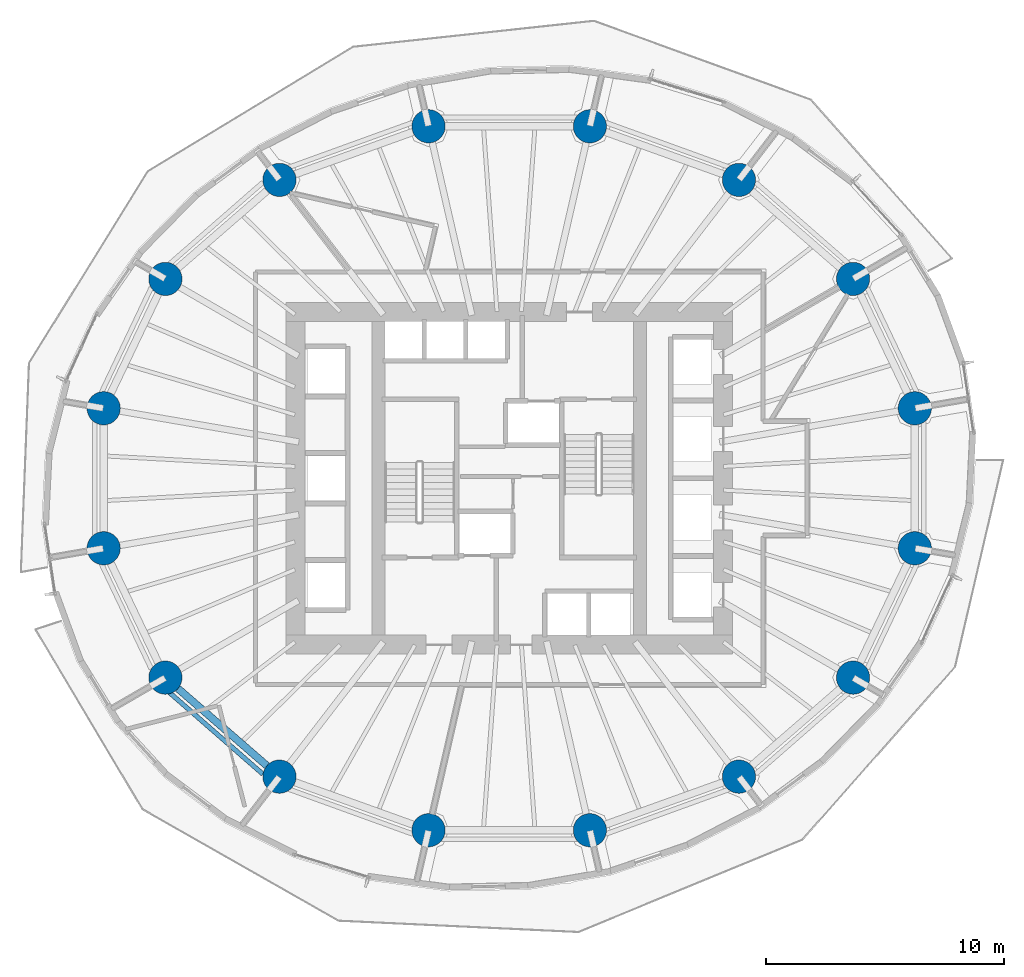
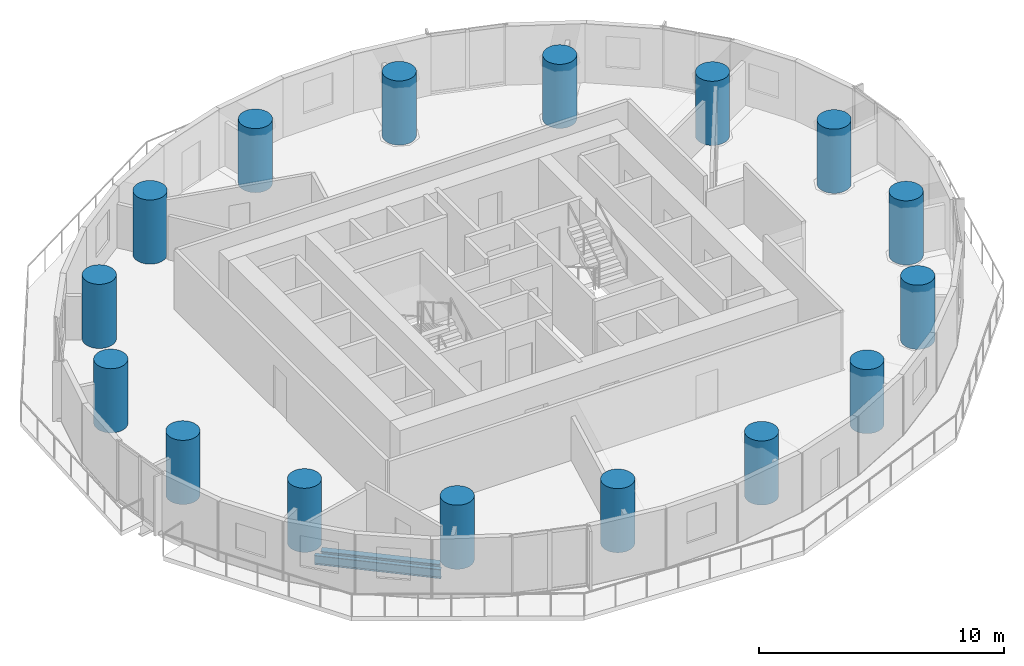
# One storey, part 1 of 13: 16 columns, 2 beams.
"""IFC4 building model written with IfcOpenShell, lengths in metres."""

from ifc_helpers import new_model, si_unit, direction, frame, origin, origin_2d, place, context, subcontext, project, spatial, circle, i_section, extrude, material, material_profile, profile_set, type_object, element, save


model = new_model("IFC4")

# Units and contexts
model_context = context("Model", 3, precision=1e-05, world=origin(), true_north=direction((0.0, 1.0)))
body_context = subcontext(model_context, "Body", "Model", "MODEL_VIEW")
ifc_project = project(units=[si_unit("LENGTHUNIT", "METRE"), si_unit("AREAUNIT", "SQUARE_METRE"), si_unit("VOLUMEUNIT", "CUBIC_METRE"), si_unit("PLANEANGLEUNIT", "RADIAN"), si_unit("MASSUNIT", "GRAM", prefix="KILO")], contexts=[model_context])

# Site, building, storey
site_placement = place(None, origin())
site = spatial("IfcSite", under=ifc_project, at=site_placement, CompositionType="ELEMENT")
building_placement = place(site_placement, origin())
building = spatial("IfcBuilding", under=site, at=building_placement, Name="Veldorim Arch Residences", CompositionType="ELEMENT")
storey_placement = place(building_placement, frame((0.0, 0.0, 60.0)))
storey = spatial("IfcBuildingStorey", under=building, at=storey_placement, Name="L17", CompositionType="ELEMENT", Elevation=60.0)

# Columns
ifc_material_1 = material(Name="Concrete C60/75", Category="concrete")
ifc_material_profile_1 = material_profile(ifc_material_1, circle(Radius=0.699951171875, at=origin_2d()), Name="RC_CIRC_1400")
ifc_profile_set_1 = profile_set([ifc_material_profile_1], Name="Concrete C60/75")
column_type = type_object("IfcColumnType", Name="Structural Column RC_CIRC_1400", PredefinedType="COLUMN", material=ifc_profile_set_1)
for number, where, z_axis, x_axis, name in (
    (1, (49.065673828125, 26.94580078125, 0.0), (0.0, 0.0, 1.0), (1.0, 0.0, 0.0), "L17 TC-Z1-01 perimeter column"),
    (2, (46.467529296875, 32.38916015625, 0.0), (0.0, 0.0, 1.0), (1.0, 0.0, 0.0), "L17 TC-Z1-02 perimeter column"),
    (3, (41.6669921875, 36.55517578125, 0.0), (0.0, 0.0, 1.0), (1.0, 0.0, 0.0), "L17 TC-Z1-03 perimeter column"),
    (4, (35.39453125, 38.809814453125, 0.0), (0.0, 0.0, 1.0), (1.0, 0.0, 0.0), "L17 TC-Z1-04 perimeter column"),
    (5, (28.60546875, 38.809814453125, 0.0), (0.0, 0.0, 1.0), (1.0, 0.0, 0.0), "L17 TC-Z1-05 perimeter column"),
    (6, (22.3330078125, 36.55517578125, 0.0), (0.0, 0.0, 1.0), (1.0, 0.0, 0.0), "L17 TC-Z1-06 perimeter column"),
    (7, (17.532470703125, 32.38916015625, 0.0), (0.0, 0.0, 1.0), (1.0, 0.0, 0.0), "L17 TC-Z1-07 perimeter column"),
    (8, (14.934326171875, 26.94580078125, 0.0), (0.0, 0.0, 1.0), (1.0, 0.0, 0.0), "L17 TC-Z1-08 perimeter column"),
    (9, (14.934326171875, 21.05419921875, 0.0), (0.0, 0.0, 1.0), (1.0, 0.0, 0.0), "L17 TC-Z1-09 perimeter column"),
    (10, (17.532470703125, 15.61083984375, 0.0), (0.0, 0.0, 1.0), (1.0, 0.0, 0.0), "L17 TC-Z1-10 perimeter column"),
    (11, (22.3330078125, 11.44482421875, 0.0), (0.0, 0.0, 1.0), (1.0, 0.0, 0.0), "L17 TC-Z1-11 perimeter column"),
    (12, (28.60546875, 9.190185546875, 0.0), (0.0, 0.0, 1.0), (1.0, 0.0, 0.0), "L17 TC-Z1-12 perimeter column"),
    (13, (35.39453125, 9.190185546875, 0.0), (0.0, 0.0, 1.0), (1.0, 0.0, 0.0), "L17 TC-Z1-13 perimeter column"),
    (14, (41.6669921875, 11.44482421875, 0.0), (0.0, 0.0, 1.0), (1.0, 0.0, 0.0), "L17 TC-Z1-14 perimeter column"),
    (15, (46.467529296875, 15.61083984375, 0.0), (0.0, 0.0, 1.0), (1.0, 0.0, 0.0), "L17 TC-Z1-15 perimeter column"),
    (16, (49.065673828125, 21.05419921875, 0.0), (0.0, 0.0, 1.0), (1.0, 0.0, 0.0), "L17 TC-Z1-16 perimeter column"),
):
    element("IfcColumn", number, at=place(storey_placement, frame(where, z_axis=z_axis, x_axis=x_axis)), inside=storey, type_object=column_type, Name=name, PredefinedType="COLUMN", context=body_context, shape_type="SweptSolid", body=[
        extrude(circle(Radius=0.699951171875, at=origin_2d()), origin(), (0.0, 0.0, 1.0), 3.199951171875),
    ])

# Beams
ifc_material_2 = material(Name="Steel S355", Category="steel")
ifc_material_profile_2 = material_profile(ifc_material_2, i_section(OverallWidth=0.30712890625, OverallDepth=0.6201171875, WebThickness=0.01416015625, FlangeThickness=0.023681640625, at=origin_2d()), Name="UB610x305x179")
ifc_profile_set_2 = profile_set([ifc_material_profile_2], Name="Steel S355")
beam_type_1 = type_object("IfcBeamType", Name="Structural Steel Beam UB610x305x179", PredefinedType="BEAM", material=ifc_profile_set_2)
beam_1_placement = place(storey_placement, frame((18.06103515625, 15.152099609375, -0.550048828125), z_axis=(0.755264734985, -0.655419850239, 0.0), x_axis=(0.655419850239, 0.755264734985, 0.0)))
element("IfcBeam", 17, at=beam_1_placement, inside=storey, type_object=beam_type_1, Name="L17 perimeter ring tie beam 10", PredefinedType="BEAM", context=body_context, shape_type="SweptSolid", body=[
    extrude(i_section(OverallWidth=0.30712890625, OverallDepth=0.6201171875, WebThickness=0.01416015625, FlangeThickness=0.023681640625, at=origin_2d()), origin(), (0.0, 0.0, 1.0), 4.956298828125),
])
ifc_material_3 = material(Name="Steel S355", Category="steel")
ifc_material_profile_3 = material_profile(ifc_material_3, i_section(OverallWidth=0.19140625, OverallDepth=0.4599609375, WebThickness=0.010009765625, FlangeThickness=0.01611328125, at=origin_2d()), Name="UB457x191x82")
ifc_profile_set_3 = profile_set([ifc_material_profile_3], Name="Steel S355")
beam_type_2 = type_object("IfcBeamType", Name="Structural Steel Spandrel UB457x191x82", PredefinedType="SPANDREL", material=ifc_profile_set_3)
beam_2_placement = place(storey_placement, frame((17.667724609375, 15.01513671875, -0.489990234375), z_axis=(0.75323350982, -0.657753205758, 0.0), x_axis=(0.657753205758, 0.75323350982, 0.0)))
element("IfcBeam", 18, at=beam_2_placement, inside=storey, type_object=beam_type_2, Name="L17 perimeter chord spandrel beam 10", PredefinedType="SPANDREL", context=body_context, shape_type="SweptSolid", body=[
    extrude(i_section(OverallWidth=0.19140625, OverallDepth=0.4599609375, WebThickness=0.010009765625, FlangeThickness=0.01611328125, at=origin_2d()), origin(), (0.0, 0.0, 1.0), 5.27001953125),
])

save(model, "model.ifc")
